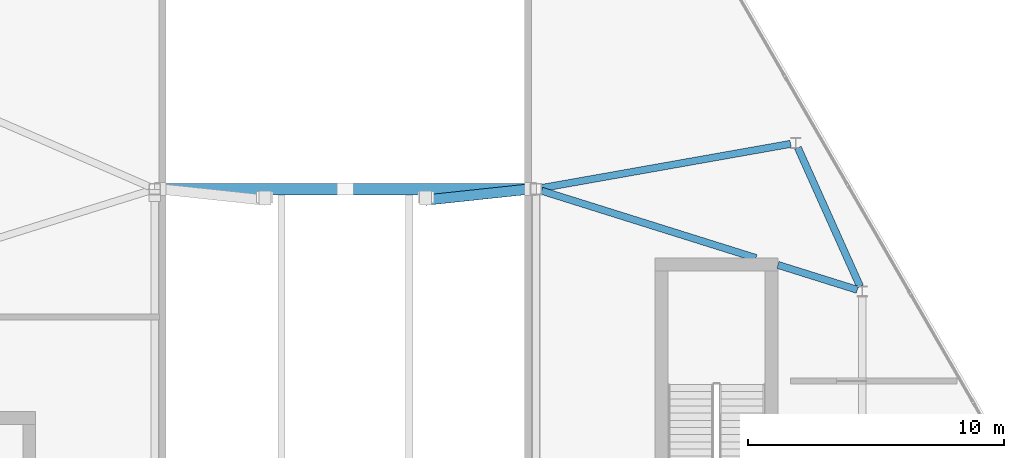
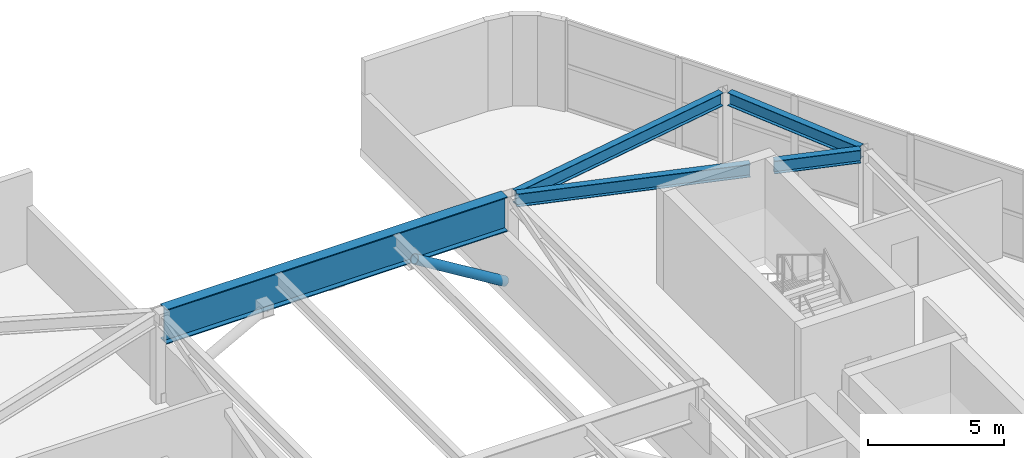
# One storey, part 11 of 16: 5 beams, 1 member.
"""IFC4 building model written with IfcOpenShell, lengths in metres."""

from ifc_helpers import new_model, si_unit, direction, frame, origin, origin_2d, place, context, subcontext, project, spatial, hollow_circle, i_section, extrude, material, material_profile, profile_set, type_object, element, save


model = new_model("IFC4")

# Units and contexts
model_context = context("Model", 3, precision=1e-05, world=origin(), true_north=direction((0.0, 1.0)))
body_context = subcontext(model_context, "Body", "Model", "MODEL_VIEW")
ifc_project = project(units=[si_unit("LENGTHUNIT", "METRE"), si_unit("AREAUNIT", "SQUARE_METRE"), si_unit("VOLUMEUNIT", "CUBIC_METRE"), si_unit("PLANEANGLEUNIT", "RADIAN"), si_unit("MASSUNIT", "GRAM", prefix="KILO")], contexts=[model_context])

# Site, building, storey
site_placement = place(None, origin())
site = spatial("IfcSite", under=ifc_project, at=site_placement, CompositionType="ELEMENT")
building_placement = place(site_placement, origin())
building = spatial("IfcBuilding", under=site, at=building_placement, Name="Zuhravey Tower", CompositionType="ELEMENT")
storey_placement = place(building_placement, frame((0.0, 0.0, 374.60009765625)))
storey = spatial("IfcBuildingStorey", under=building, at=storey_placement, Name="L95", CompositionType="ELEMENT", Elevation=374.60009765625)

# Beams
ifc_material_1 = material(Name="Steel SM460", Category="steel")
ifc_material_profile_1 = material_profile(ifc_material_1, i_section(OverallWidth=0.449951171875, OverallDepth=1.550048828125, WebThickness=0.02587890625, FlangeThickness=0.0419921875, at=origin_2d()), Name="H-1550x450x26x42")
ifc_profile_set_1 = profile_set([ifc_material_profile_1], Name="Steel SM460")
beam_type_1 = type_object("IfcBeamType", Name="Heavy Setback Transfer Girder H1550x450", PredefinedType="BEAM", material=ifc_profile_set_1)
beam_1_placement = place(storey_placement, frame((28.780029296875, 46.0, 3.31494140625), z_axis=(1.0, 0.0, 0.0), x_axis=(0.0, 1.0, 0.0)))
element("IfcBeam", 1, at=beam_1_placement, inside=storey, type_object=beam_type_1, Name="L95 Wind-Portal Cap Girder TG3-3", PredefinedType="BEAM", context=body_context, shape_type="SweptSolid", body=[
    extrude(i_section(OverallWidth=0.449951171875, OverallDepth=1.550048828125, WebThickness=0.02587890625, FlangeThickness=0.0419921875, at=origin_2d()), origin(), (0.0, 0.0, 1.0), 14.43994140625),
])
ifc_material_2 = material(Name="Steel SM355", Category="steel")
ifc_material_profile_2 = material_profile(ifc_material_2, i_section(OverallWidth=0.280029296875, OverallDepth=0.580078125, WebThickness=0.011962890625, FlangeThickness=0.01904296875, at=origin_2d()), Name="H-580x280x12x19")
ifc_profile_set_2 = profile_set([ifc_material_profile_2], Name="Steel SM355")
beam_type_2 = type_object("IfcBeamType", Name="Perimeter Ring Beam H580x280", PredefinedType="BEAM", material=ifc_profile_set_2)
beam_2_placement = place(storey_placement, frame((56.116455078125, 42.18603515625, 3.760009765625), z_axis=(-0.409053547057, 0.912510381113, 0.0), x_axis=(-0.912510381113, -0.409053547057, 0.0)))
element("IfcBeam", 2, at=beam_2_placement, inside=storey, type_object=beam_type_2, Name="L95 PB4 BM-L95-ECR-1-3", PredefinedType="BEAM", context=body_context, shape_type="SweptSolid", body=[
    extrude(i_section(OverallWidth=0.280029296875, OverallDepth=0.580078125, WebThickness=0.011962890625, FlangeThickness=0.01904296875, at=origin_2d()), origin(), (0.0, 0.0, 1.0), 5.9482421875),
])
beam_3_placement = place(storey_placement, frame((53.399169921875, 47.764404296875, 3.760009765625), z_axis=(-0.984637117377, -0.174613135483, 0.0), x_axis=(0.174613135483, -0.984637117377, 0.0)))
element("IfcBeam", 3, at=beam_3_placement, inside=storey, type_object=beam_type_2, Name="L95 PB4 BM-L95-ECR-3-6", PredefinedType="BEAM", context=body_context, shape_type="SweptSolid", body=[
    extrude(i_section(OverallWidth=0.280029296875, OverallDepth=0.580078125, WebThickness=0.011962890625, FlangeThickness=0.01904296875, at=origin_2d()), origin(), (0.0, 0.0, 1.0), 9.875244140625),
])
beam_4_placement = place(storey_placement, frame((56.00537109375, 42.06103515625, 3.760009765625), z_axis=(-0.95415195588, 0.299322643799, 0.0), x_axis=(-0.299322643799, -0.95415195588, 0.0)))
element("IfcBeam", 4, at=beam_4_placement, inside=storey, type_object=beam_type_2, Name="L95 PB4 BM-L95-ECR-1-6 (1)", PredefinedType="BEAM", context=body_context, shape_type="SweptSolid", body=[
    extrude(i_section(OverallWidth=0.280029296875, OverallDepth=0.580078125, WebThickness=0.011962890625, FlangeThickness=0.01904296875, at=origin_2d()), origin(), (0.0, 0.0, 1.0), 3.250244140625),
])
beam_5_placement = place(storey_placement, frame((52.04345703125, 43.303955078125, 3.760009765625), z_axis=(-0.954146799125, 0.299339081512, 0.0), x_axis=(-0.299339081512, -0.954146799125, 0.0)))
element("IfcBeam", 5, at=beam_5_placement, inside=storey, type_object=beam_type_2, Name="L95 PB4 BM-L95-ECR-1-6 (2)", PredefinedType="BEAM", context=body_context, shape_type="SweptSolid", body=[
    extrude(i_section(OverallWidth=0.280029296875, OverallDepth=0.580078125, WebThickness=0.011962890625, FlangeThickness=0.01904296875, at=origin_2d()), origin(), (0.0, 0.0, 1.0), 8.777587890625),
])

# Member
ifc_material_profile_3 = material_profile(ifc_material_2, hollow_circle(Radius=0.203125, WallThickness=0.02001953125, at=origin_2d()), Name="CHS-406.4x20")
ifc_profile_set_3 = profile_set([ifc_material_profile_3], Name="Steel SM355")
member_type = type_object("IfcMemberType", Name="Wind-Portal Arch Brace CHS406x20", PredefinedType="BRACE", material=ifc_profile_set_3)
member_placement = place(storey_placement, frame((43.21923828125, 45.999755859375, 0.180908203125), z_axis=(-0.831960983214, -0.088484176355, 0.547733030723), x_axis=(0.105759685753, -0.994391718021, 0.0)))
element("IfcMember", 6, at=member_placement, inside=storey, type_object=member_type, Name="L95 Wind-Portal Arch Brace WPB1-3E", PredefinedType="BRACE", context=body_context, shape_type="SweptSolid", body=[
    extrude(hollow_circle(Radius=0.203125, WallThickness=0.02001953125, at=origin_2d()), origin(), (0.0, 0.0, 1.0), 4.88916015625),
])

save(model, "model.ifc")
